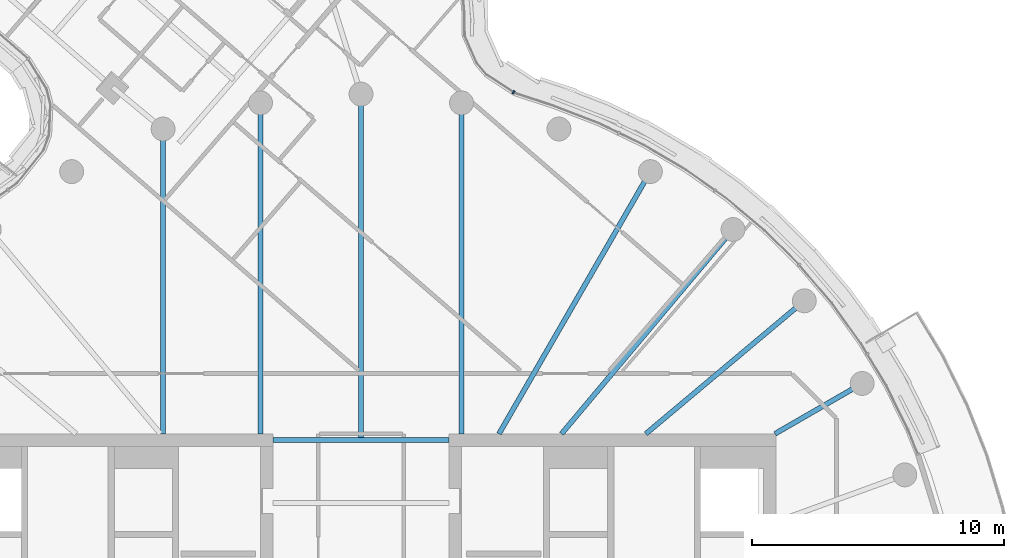
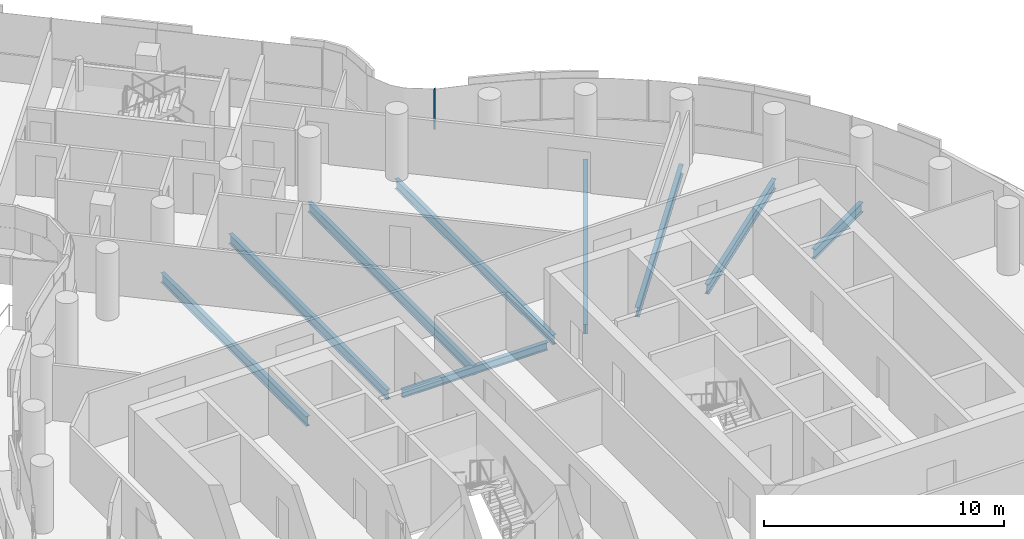
# One storey, part 13 of 32: 9 beams, 1 member, 1 element without a shape of its own.
"""IFC4 building model written with IfcOpenShell, lengths in metres."""

from ifc_helpers import new_model, si_unit, direction, frame, origin, origin_2d, place, context, subcontext, project, spatial, rectangle, i_section, extrude, material, layer, layer_set, material_profile, profile_set, type_object, element, aggregate, save


model = new_model("IFC4")

# Units and contexts
model_context = context("Model", 3, precision=1e-05, world=origin(), true_north=direction((0.0, 1.0)))
body_context = subcontext(model_context, "Body", "Model", "MODEL_VIEW")
ifc_project = project(units=[si_unit("LENGTHUNIT", "METRE"), si_unit("AREAUNIT", "SQUARE_METRE"), si_unit("VOLUMEUNIT", "CUBIC_METRE"), si_unit("PLANEANGLEUNIT", "RADIAN"), si_unit("MASSUNIT", "GRAM", prefix="KILO")], contexts=[model_context])

# Site, building, storey
site_placement = place(None, origin())
site = spatial("IfcSite", under=ifc_project, at=site_placement, CompositionType="ELEMENT")
building_placement = place(site_placement, origin())
building = spatial("IfcBuilding", under=site, at=building_placement, Name="Tamarind Cross Interchange Tower", CompositionType="ELEMENT")
storey_placement = place(building_placement, frame((0.0, 0.0, 211.300048828125)))
storey = spatial("IfcBuildingStorey", under=building, at=storey_placement, Name="L53", CompositionType="ELEMENT", Elevation=211.300048828125)

# Beams
ifc_material_1 = material(Name="Steel Q355B", Category="steel")
ifc_material_profile_1 = material_profile(ifc_material_1, i_section(OverallWidth=0.199951171875, OverallDepth=0.39990234375, WebThickness=0.008056640625, FlangeThickness=0.012939453125, FilletRadius=0.01611328125, at=origin_2d()), Name="HN 400x200x8x13")
ifc_profile_set_1 = profile_set([ifc_material_profile_1], Name="Steel Q355B")
beam_type_1 = type_object("IfcBeamType", Name="Composite beam HN 400x200x8x13 Q355B", PredefinedType="BEAM", material=ifc_profile_set_1)
beam_1_placement = place(storey_placement, frame((-3.5, 9.25, -0.340087890625), z_axis=(1.0, 0.0, 0.0), x_axis=(0.0, 1.0, 0.0)))
element("IfcBeam", 1, at=beam_1_placement, inside=storey, type_object=beam_type_1, Name="Beam G9.25", PredefinedType="BEAM", context=body_context, shape_type="SweptSolid", body=[
    extrude(i_section(OverallWidth=0.199951171875, OverallDepth=0.39990234375, WebThickness=0.008056640625, FlangeThickness=0.012939453125, FilletRadius=0.01611328125, at=origin_2d()), origin(), (0.0, 0.0, 1.0), 7.0),
])
ifc_material_profile_2 = material_profile(ifc_material_1, i_section(OverallWidth=0.198974609375, OverallDepth=0.49609375, WebThickness=0.009033203125, FlangeThickness=0.013916015625, FilletRadius=0.012939453125, at=origin_2d()), Name="HN 496x199x9x14")
ifc_profile_set_2 = profile_set([ifc_material_profile_2], Name="Steel Q355B")
beam_type_2 = type_object("IfcBeamType", Name="Composite beam HN 496x199x9x14 Q355B", PredefinedType="BEAM", material=ifc_profile_set_2)
beam_2_placement = place(storey_placement, frame((19.918701171875, 11.5, -0.387939453125), z_axis=(-0.866026010844, -0.49999894854, 0.0), x_axis=(0.49999894854, -0.866026010844, 0.0)))
element("IfcBeam", 2, at=beam_2_placement, inside=storey, type_object=beam_type_2, Name="Beam HH03", PredefinedType="BEAM", context=body_context, shape_type="SweptSolid", body=[
    extrude(i_section(OverallWidth=0.198974609375, OverallDepth=0.49609375, WebThickness=0.009033203125, FlangeThickness=0.013916015625, FilletRadius=0.012939453125, at=origin_2d()), origin(), (0.0, 0.0, 1.0), 4.0),
])
beam_3_placement = place(storey_placement, frame((17.619140625, 14.7841796875, -0.387939453125), z_axis=(-0.766040580814, -0.642792212574, 0.0), x_axis=(0.642792212574, -0.766040580814, 0.0)))
element("IfcBeam", 3, at=beam_3_placement, inside=storey, type_object=beam_type_2, Name="Beam HH04", PredefinedType="BEAM", context=body_context, shape_type="SweptSolid", body=[
    extrude(i_section(OverallWidth=0.198974609375, OverallDepth=0.49609375, WebThickness=0.009033203125, FlangeThickness=0.013916015625, FilletRadius=0.012939453125, at=origin_2d()), origin(), (0.0, 0.0, 1.0), 8.220703125),
])
beam_4_placement = place(storey_placement, frame((14.7841796875, 17.619140625, -0.387939453125), z_axis=(-0.642786293979, -0.766045547127, 0.0), x_axis=(0.766045547127, -0.642786293979, 0.0)))
element("IfcBeam", 4, at=beam_4_placement, inside=storey, type_object=beam_type_2, Name="Beam HH05", PredefinedType="BEAM", context=body_context, shape_type="SweptSolid", body=[
    extrude(i_section(OverallWidth=0.198974609375, OverallDepth=0.49609375, WebThickness=0.009033203125, FlangeThickness=0.013916015625, FilletRadius=0.012939453125, at=origin_2d()), origin(), (0.0, 0.0, 1.0), 10.598876953125),
])
beam_5_placement = place(storey_placement, frame((11.5, 19.918701171875, -0.387939453125), z_axis=(-0.499993565836, -0.866029118519, 0.0), x_axis=(0.866029118519, -0.499993565836, 0.0)))
element("IfcBeam", 5, at=beam_5_placement, inside=storey, type_object=beam_type_2, Name="Beam HH06", PredefinedType="BEAM", context=body_context, shape_type="SweptSolid", body=[
    extrude(i_section(OverallWidth=0.198974609375, OverallDepth=0.49609375, WebThickness=0.009033203125, FlangeThickness=0.013916015625, FilletRadius=0.012939453125, at=origin_2d()), origin(), (0.0, 0.0, 1.0), 12.030517578125),
])
beam_6_placement = place(storey_placement, frame((3.993896484375, 22.650634765625, -0.387939453125), z_axis=(0.0, -1.0, 0.0), x_axis=(1.0, 0.0, 0.0)))
element("IfcBeam", 6, at=beam_6_placement, inside=storey, type_object=beam_type_2, Name="Beam HH08", PredefinedType="BEAM", context=body_context, shape_type="SweptSolid", body=[
    extrude(i_section(OverallWidth=0.198974609375, OverallDepth=0.49609375, WebThickness=0.009033203125, FlangeThickness=0.013916015625, FilletRadius=0.012939453125, at=origin_2d()), origin(), (0.0, 0.0, 1.0), 13.150634765625),
])
beam_7_placement = place(storey_placement, frame((0.0, 23.0, -0.387939453125), z_axis=(0.0, -1.0, 0.0), x_axis=(1.0, 0.0, 0.0)))
element("IfcBeam", 7, at=beam_7_placement, inside=storey, type_object=beam_type_2, Name="Beam HH09", PredefinedType="BEAM", context=body_context, shape_type="SweptSolid", body=[
    extrude(i_section(OverallWidth=0.198974609375, OverallDepth=0.49609375, WebThickness=0.009033203125, FlangeThickness=0.013916015625, FilletRadius=0.012939453125, at=origin_2d()), origin(), (0.0, 0.0, 1.0), 13.75),
])
beam_8_placement = place(storey_placement, frame((-3.993896484375, 22.650634765625, -0.387939453125), z_axis=(0.0, -1.0, 0.0), x_axis=(1.0, 0.0, 0.0)))
element("IfcBeam", 8, at=beam_8_placement, inside=storey, type_object=beam_type_2, Name="Beam HH10", PredefinedType="BEAM", context=body_context, shape_type="SweptSolid", body=[
    extrude(i_section(OverallWidth=0.198974609375, OverallDepth=0.49609375, WebThickness=0.009033203125, FlangeThickness=0.013916015625, FilletRadius=0.012939453125, at=origin_2d()), origin(), (0.0, 0.0, 1.0), 13.150634765625),
])
beam_9_placement = place(storey_placement, frame((-7.866455078125, 21.613037109375, -0.387939453125), z_axis=(0.0, -1.0, 0.0), x_axis=(1.0, 0.0, 0.0)))
element("IfcBeam", 9, at=beam_9_placement, inside=storey, type_object=beam_type_2, Name="Beam HH11", PredefinedType="BEAM", context=body_context, shape_type="SweptSolid", body=[
    extrude(i_section(OverallWidth=0.198974609375, OverallDepth=0.49609375, WebThickness=0.009033203125, FlangeThickness=0.013916015625, FilletRadius=0.012939453125, at=origin_2d()), origin(), (0.0, 0.0, 1.0), 12.113037109375),
])

# Curtain wall, member
ifc_material_2 = material(Name="Aluminium 6063-T6", Category="aluminium")
ifc_layer = layer(ifc_material_2, 0.139892578125)
ifc_layer_set = layer_set([ifc_layer], Name="Aluminium 6063-T6")
curtain_wall_type = type_object("IfcCurtainWallType", Name="Hotel curtain wall, 4.5 m bays", PredefinedType="NOTDEFINED", material=ifc_layer_set)
curtain_wall_placement = place(storey_placement, origin())
curtain_wall = element("IfcCurtainWall", 10, at=curtain_wall_placement, inside=storey, type_object=curtain_wall_type, Name="CWS-L53-06", PredefinedType="NOTDEFINED")
ifc_material_profile_3 = material_profile(ifc_material_2, rectangle(XDim=0.06005859375, YDim=0.139892578125, at=origin_2d()), Name="Mullion CW2")
ifc_profile_set_3 = profile_set([ifc_material_profile_3], Name="Aluminium 6063-T6")
member_type = type_object("IfcMemberType", Name="Mullion CW2", PredefinedType="MULLION", material=ifc_profile_set_3)
member_placement = place(storey_placement, frame((6.060302734375, 23.071044921875, 1.39990234375), z_axis=(0.0, 0.0, 1.0), x_axis=(-0.837418137235, 0.546562771719, 0.0)))
member = element("IfcMember", 11, at=member_placement, type_object=member_type, Name="CWM-L53-06-12", PredefinedType="MULLION", context=body_context, shape_type="SweptSolid", body=[
    extrude(rectangle(XDim=0.06005859375, YDim=0.139892578125, at=origin_2d()), origin(), (0.0, 0.0, 1.0), 2.02001953125),
])
aggregate(curtain_wall, [member])

save(model, "model.ifc")
